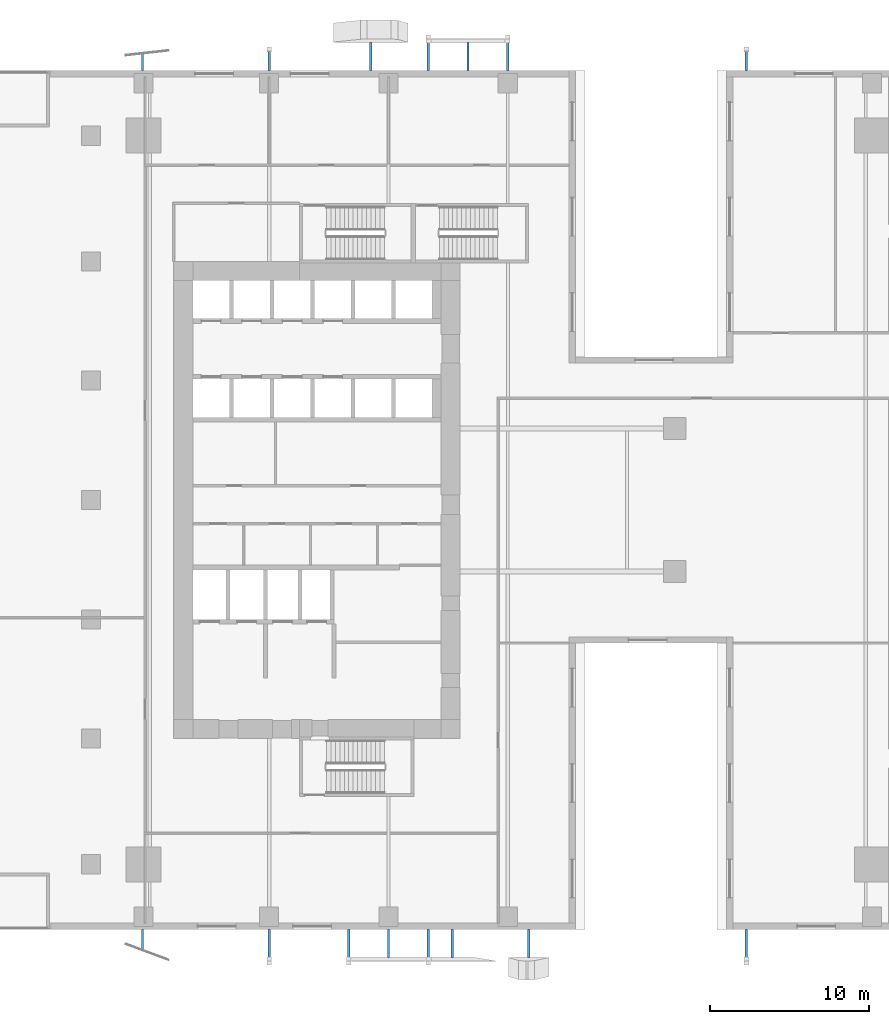
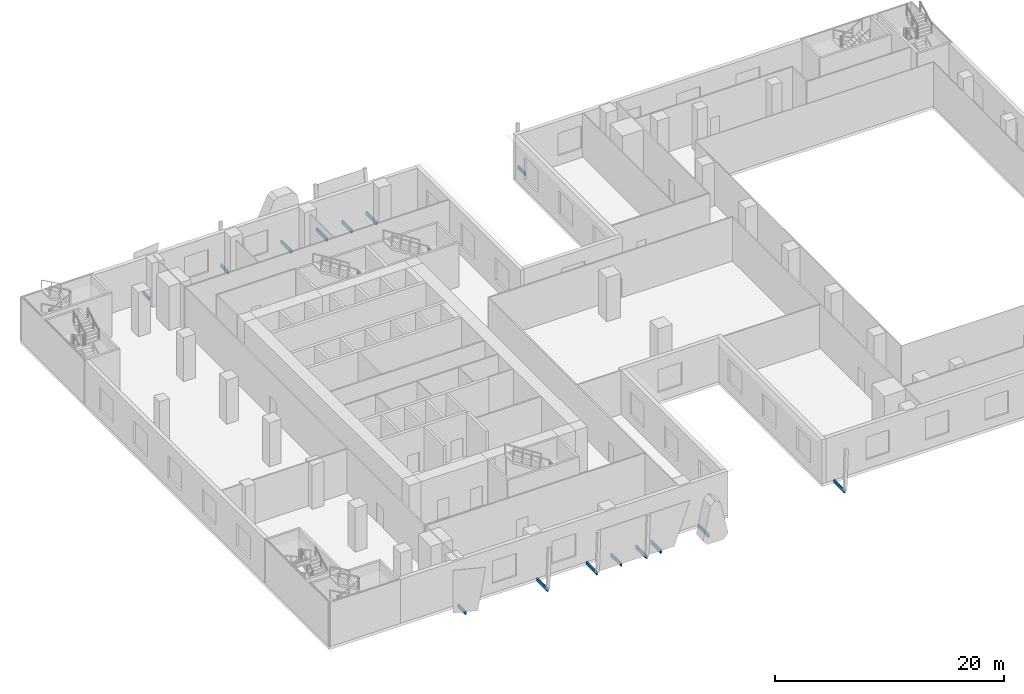
# One storey, part 16 of 22: 15 discrete accessories.
"""IFC4 building model written with IfcOpenShell, lengths in metres."""

from ifc_helpers import new_model, si_unit, direction, frame, origin, origin_2d, place, context, subcontext, project, spatial, rectangle, extrude, source, transform, mapped, material, type_object, element, save


model = new_model("IFC4")

# Units and contexts
model_context = context("Model", 3, precision=1e-05, world=origin(), true_north=direction((0.0, 1.0)))
body_context = subcontext(model_context, "Body", "Model", "MODEL_VIEW")
ifc_project = project(units=[si_unit("LENGTHUNIT", "METRE"), si_unit("AREAUNIT", "SQUARE_METRE"), si_unit("VOLUMEUNIT", "CUBIC_METRE"), si_unit("PLANEANGLEUNIT", "RADIAN"), si_unit("MASSUNIT", "GRAM", prefix="KILO")], contexts=[model_context])

# Site, building, storey
site_placement = place(None, origin())
site = spatial("IfcSite", under=ifc_project, at=site_placement, CompositionType="ELEMENT")
building_placement = place(site_placement, origin())
building = spatial("IfcBuilding", under=site, at=building_placement, Name="Khomas Fold Tower", CompositionType="ELEMENT")
storey_placement = place(building_placement, frame((0.0, 0.0, 23.5)))
storey = spatial("IfcBuildingStorey", under=building, at=storey_placement, Name="L04", CompositionType="ELEMENT", Elevation=23.5)

# Discrete accessories
ifc_material = material(Name="Stainless steel", Category="steel")
discrete_accessory_type = type_object("IfcDiscreteAccessoryType", Name="SK-Stainless steel stone bracket", PredefinedType="BRACKET", material=ifc_material)
shared_shape_1 = source(origin(), body_context, "Body", "SweptSolid", [
    extrude(rectangle(XDim=1.76513671875, YDim=0.14990234375, at=origin_2d()), origin(), (0.0, 0.0, 1.0), 0.360107421875),
])
for number, where, z_axis, x_axis, name in (
    (1, (28.31494140625, -0.882568359375, -0.30029296875), (0.0, 0.0, 1.0), (0.0, -1.0, 0.0), "Stone bracket L04 SS06-1-1"),
    (2, (18.37939453125, 54.882568359375, -0.30029296875), (0.0, 0.0, 1.0), (0.0, 1.0, 0.0), "Stone bracket L04 NS05-1-1"),
    (3, (19.5, -0.882568359375, -0.30029296875), (0.0, 0.0, 1.0), (0.0, -1.0, 0.0), "Stone bracket L04 SG101-4-1"),
    (4, (23.509521484375, -0.882568359375, -0.30029296875), (0.0, 0.0, 1.0), (0.0, -1.0, 0.0), "Stone bracket L04 SG102-6-1"),
    (5, (24.5, 54.882568359375, -0.30029296875), (0.0, 0.0, 1.0), (0.0, 1.0, 0.0), "Stone bracket L04 NG102-4-1"),
):
    element("IfcDiscreteAccessory", number, at=place(storey_placement, frame(where, z_axis=z_axis, x_axis=x_axis)), inside=storey, type_object=discrete_accessory_type, Name=name, PredefinedType="BRACKET", context=body_context, shape_type="MappedRepresentation", body=[
        mapped(shared_shape_1, transform((0.0, 0.0, 0.0))),
    ])
shared_shape_2 = source(origin(), body_context, "Body", "SweptSolid", [
    extrude(rectangle(XDim=1.33642578125, YDim=0.14990234375, at=origin_2d()), origin(), (0.0, 0.0, 1.0), 0.360107421875),
])
discrete_accessory_1_placement = place(storey_placement, frame((4.033447265625, -0.668212890625, -0.30029296875), z_axis=(0.0, 0.0, 1.0), x_axis=(0.0, -1.0, 0.0)))
element("IfcDiscreteAccessory", 6, at=discrete_accessory_1_placement, inside=storey, type_object=discrete_accessory_type, Name="Stone bracket L04 SG098-1-1", PredefinedType="BRACKET", context=body_context, shape_type="MappedRepresentation", body=[
    mapped(shared_shape_2, transform((0.0, 0.0, 0.0))),
])
shared_shape_3 = source(origin(), body_context, "Body", "SweptSolid", [
    extrude(rectangle(XDim=1.860107421875, YDim=0.14990234375, at=origin_2d()), origin(), (0.0, 0.0, 1.0), 0.360107421875),
])
for number, where, z_axis, x_axis, name in (
    (7, (12.0, -0.929931640625, -0.30029296875), (0.0, 0.0, 1.0), (0.0, -1.0, 0.0), "Stone bracket L04 SM100-2-1"),
    (8, (17.0, -0.929931640625, -0.30029296875), (0.0, 0.0, 1.0), (0.0, -1.0, 0.0), "Stone bracket L04 SM101-3-1"),
    (9, (22.0, -0.929931640625, -0.30029296875), (0.0, 0.0, 1.0), (0.0, -1.0, 0.0), "Stone bracket L04 SM102-5-1"),
    (10, (42.0, -0.929931640625, -0.30029296875), (0.0, 0.0, 1.0), (0.0, -1.0, 0.0), "Stone bracket L04 SM106-7-1"),
    (11, (22.0, 54.929931640625, -0.30029296875), (0.0, 0.0, 1.0), (0.0, 1.0, 0.0), "Stone bracket L04 NM102-3-1"),
    (12, (27.0, 54.929931640625, -0.30029296875), (0.0, 0.0, 1.0), (0.0, 1.0, 0.0), "Stone bracket L04 NM103-5-1"),
):
    element("IfcDiscreteAccessory", number, at=place(storey_placement, frame(where, z_axis=z_axis, x_axis=x_axis)), inside=storey, type_object=discrete_accessory_type, Name=name, PredefinedType="BRACKET", context=body_context, shape_type="MappedRepresentation", body=[
        mapped(shared_shape_3, transform((0.0, 0.0, 0.0))),
    ])
shared_shape_4 = source(origin(), body_context, "Body", "SweptSolid", [
    extrude(rectangle(XDim=1.04833984375, YDim=0.14990234375, at=origin_2d()), origin(), (0.0, 0.0, 1.0), 0.360107421875),
])
discrete_accessory_2_placement = place(storey_placement, frame((4.033447265625, 54.524169921875, -0.30029296875), z_axis=(0.0, 0.0, 1.0), x_axis=(0.0, 1.0, 0.0)))
element("IfcDiscreteAccessory", 13, at=discrete_accessory_2_placement, inside=storey, type_object=discrete_accessory_type, Name="Stone bracket L04 NG098-1-1", PredefinedType="BRACKET", context=body_context, shape_type="MappedRepresentation", body=[
    mapped(shared_shape_4, transform((0.0, 0.0, 0.0))),
])
shared_shape_5 = source(origin(), body_context, "Body", "SweptSolid", [
    extrude(rectangle(XDim=1.27197265625, YDim=0.14990234375, at=origin_2d()), origin(), (0.0, 0.0, 1.0), 0.360107421875),
])
for number, where, z_axis, x_axis, name in (
    (14, (12.0, 54.635986328125, -0.30029296875), (0.0, 0.0, 1.0), (0.0, 1.0, 0.0), "Stone bracket L04 NM100-2-1"),
    (15, (42.0, 54.635986328125, -0.30029296875), (0.0, 0.0, 1.0), (0.0, 1.0, 0.0), "Stone bracket L04 NM106-6-1"),
):
    element("IfcDiscreteAccessory", number, at=place(storey_placement, frame(where, z_axis=z_axis, x_axis=x_axis)), inside=storey, type_object=discrete_accessory_type, Name=name, PredefinedType="BRACKET", context=body_context, shape_type="MappedRepresentation", body=[
        mapped(shared_shape_5, transform((0.0, 0.0, 0.0))),
    ])

save(model, "model.ifc")
